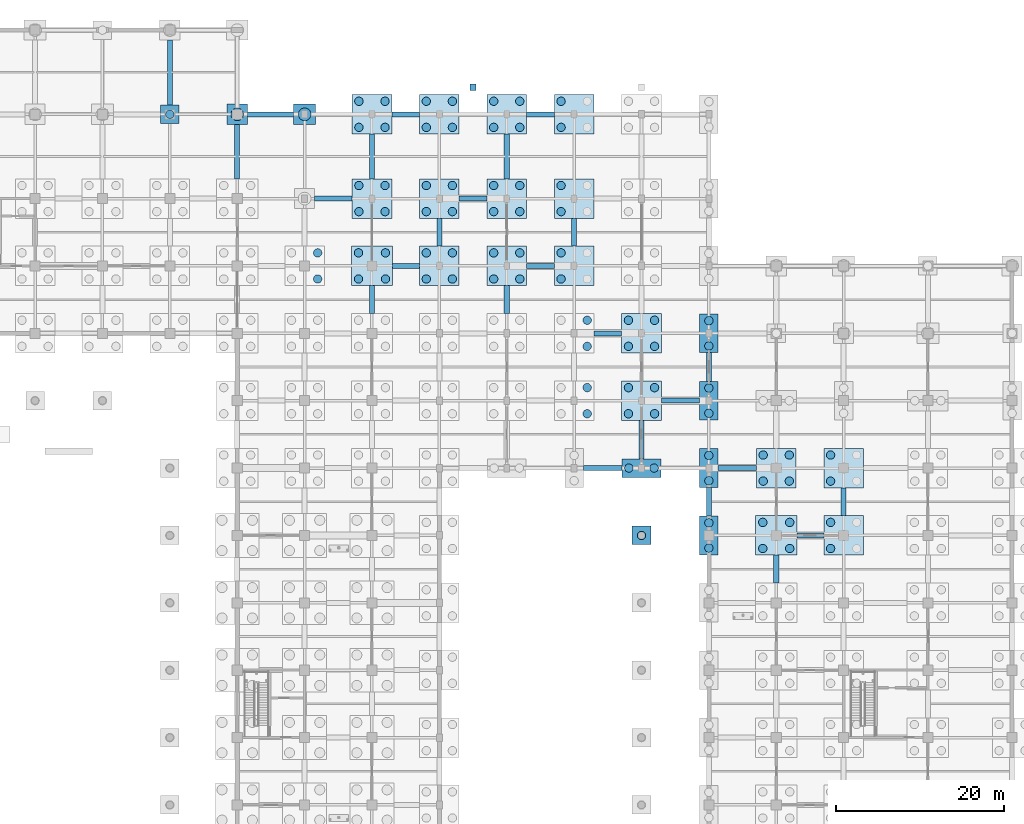
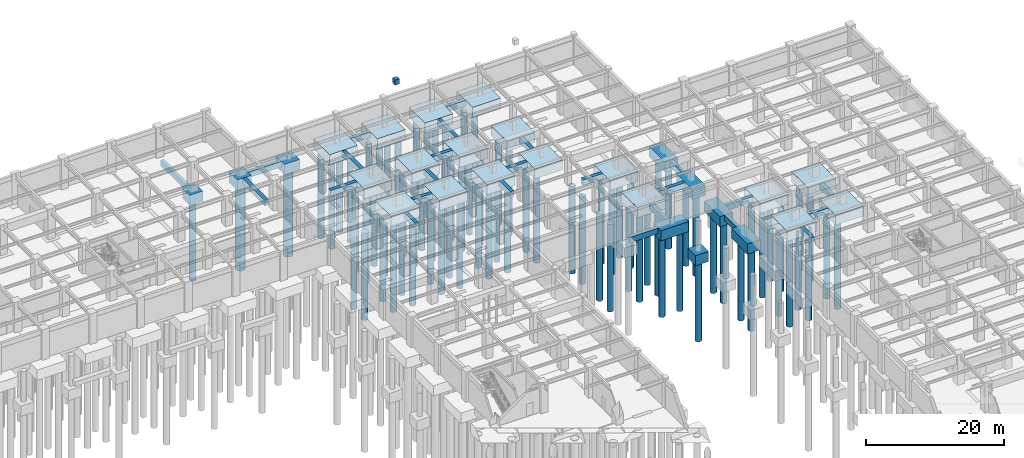
# One storey, part 19 of 97: 82 piles, 53 footings.
"""IFC4 building model written with IfcOpenShell, lengths in metres."""

from ifc_helpers import new_model, si_unit, direction, frame, origin, origin_2d, place, context, subcontext, project, spatial, rectangle, circle, extrude, material, layer, layer_set, material_profile, profile_set, type_object, element, save


model = new_model("IFC4")

# Units and contexts
model_context = context("Model", 3, precision=1e-05, world=origin(), true_north=direction((0.0, 1.0)))
body_context = subcontext(model_context, "Body", "Model", "MODEL_VIEW")
ifc_project = project(units=[si_unit("LENGTHUNIT", "METRE"), si_unit("AREAUNIT", "SQUARE_METRE"), si_unit("VOLUMEUNIT", "CUBIC_METRE"), si_unit("PLANEANGLEUNIT", "RADIAN"), si_unit("MASSUNIT", "GRAM", prefix="KILO")], contexts=[model_context])

# Site, building, storey
site_placement = place(None, origin())
site = spatial("IfcSite", under=ifc_project, at=site_placement, CompositionType="ELEMENT")
building_placement = place(site_placement, origin())
building = spatial("IfcBuilding", under=site, at=building_placement, Name="Haebicheon Civic Stadium", CompositionType="ELEMENT")
storey_placement = place(building_placement, frame((0.0, 0.0, -5.39990234375)))
storey = spatial("IfcBuildingStorey", under=building, at=storey_placement, Name="B1", CompositionType="ELEMENT", Elevation=-5.39990234375)

# Footings
ifc_material_1 = material(Name="Concrete C40/50", Category="concrete")
ifc_layer_1 = layer(ifc_material_1, 1.0, Name="Concrete C40/50")
ifc_layer_set_1 = layer_set([ifc_layer_1], Name="Concrete C40/50")
footing_type_1 = type_object("IfcFootingType", Name="FB-3200x600", PredefinedType="FOOTING_BEAM", material=ifc_layer_set_1)
for number, where, z_axis, x_axis, name in (
    (1, (164.050048828125, 160.0, -1.0), (0.0, 0.0, 1.0), (1.0, 0.0, 0.0), "Ground tie beam X 20-20"),
    (2, (212.050048828125, 128.0, -1.0), (0.0, 0.0, 1.0), (1.0, 0.0, 0.0), "Ground tie beam X 26-16"),
):
    element("IfcFooting", number, at=place(storey_placement, frame(where, z_axis=z_axis, x_axis=x_axis)), inside=storey, type_object=footing_type_1, material=ifc_layer_set_1, Name=name, PredefinedType="FOOTING_BEAM", context=body_context, shape_type="SweptSolid", body=[
        extrude(rectangle(XDim=3.199951171875, YDim=0.60009765625, at=origin_2d()), origin(), (0.0, 0.0, 1.0), 1.0),
    ])
ifc_material_2 = material(Name="Concrete C40/50", Category="concrete")
ifc_layer_2 = layer(ifc_material_2, 1.0, Name="Concrete C40/50")
ifc_layer_set_2 = layer_set([ifc_layer_2], Name="Concrete C40/50")
footing_type_2 = type_object("IfcFootingType", Name="FB-3300x600", PredefinedType="FOOTING_BEAM", material=ifc_layer_set_2)
for number, where, z_axis, x_axis, name in (
    (3, (160.0, 156.0, -1.0), (0.0, 0.0, 1.0), (0.0, 1.0, 0.0), "Ground tie beam Y 20-19"),
    (4, (164.0, 178.0, -1.0), (0.0, 0.0, 1.0), (1.0, 0.0, 0.0), "Ground tie beam X 20-22"),
    (5, (168.0, 164.0, -1.0), (0.0, 0.0, 1.0), (0.0, 1.0, 0.0), "Ground tie beam Y 21-20"),
    (6, (172.0, 168.0, -1.0), (0.0, 0.0, 1.0), (1.0, 0.0, 0.0), "Ground tie beam X 21-21"),
    (7, (176.0, 156.0, -1.0), (0.0, 0.0, 1.0), (0.0, 1.0, 0.0), "Ground tie beam Y 22-19"),
    (8, (180.0, 160.0, -1.0), (0.0, 0.0, 1.0), (1.0, 0.0, 0.0), "Ground tie beam X 22-20"),
    (9, (180.0, 178.0, -1.0), (0.0, 0.0, 1.0), (1.0, 0.0, 0.0), "Ground tie beam X 22-22"),
    (10, (188.0, 152.0, -1.0), (0.0, 0.0, 1.0), (1.0, 0.0, 0.0), "Ground tie beam X 23-19"),
    (11, (184.0, 164.0, -1.0), (0.0, 0.0, 1.0), (0.0, 1.0, 0.0), "Ground tie beam Y 23-20"),
    (12, (208.0, 124.0, -1.0), (0.0, 0.0, 1.0), (0.0, 1.0, 0.0), "Ground tie beam Y 26-15"),
    (13, (216.0, 132.0, -1.0), (0.0, 0.0, 1.0), (0.0, 1.0, 0.0), "Ground tie beam Y 27-16"),
):
    element("IfcFooting", number, at=place(storey_placement, frame(where, z_axis=z_axis, x_axis=x_axis)), inside=storey, type_object=footing_type_2, material=ifc_layer_set_2, Name=name, PredefinedType="FOOTING_BEAM", context=body_context, shape_type="SweptSolid", body=[
        extrude(rectangle(XDim=3.300048828125, YDim=0.60009765625, at=origin_2d()), origin(), (0.0, 0.0, 1.0), 1.0),
    ])
ifc_material_3 = material(Name="Concrete C40/50", Category="concrete")
ifc_layer_3 = layer(ifc_material_3, 1.0, Name="Concrete C40/50")
ifc_layer_set_3 = layer_set([ifc_layer_3], Name="Concrete C40/50")
footing_type_3 = type_object("IfcFootingType", Name="FB-3400x600", PredefinedType="FOOTING_BEAM", material=ifc_layer_set_3)
for number, where, z_axis, x_axis, name in (
    (14, (200.0, 132.0, -1.0), (0.0, 0.0, 1.0), (0.0, 1.0, 0.0), "Ground tie beam Y 25-16"),
    (15, (200.0, 148.0, -1.0), (0.0, 0.0, 1.0), (0.0, 1.0, 0.0), "Ground tie beam Y 25-18"),
):
    element("IfcFooting", number, at=place(storey_placement, frame(where, z_axis=z_axis, x_axis=x_axis)), inside=storey, type_object=footing_type_3, material=ifc_layer_set_3, Name=name, PredefinedType="FOOTING_BEAM", context=body_context, shape_type="SweptSolid", body=[
        extrude(rectangle(XDim=3.39990234375, YDim=0.60009765625, at=origin_2d()), origin(), (0.0, 0.0, 1.0), 1.0),
    ])
ifc_material_4 = material(Name="Concrete C40/50", Category="concrete")
ifc_layer_4 = layer(ifc_material_4, 1.0, Name="Concrete C40/50")
ifc_layer_set_4 = layer_set([ifc_layer_4], Name="Concrete C40/50")
footing_type_4 = type_object("IfcFootingType", Name="FB-4450x600", PredefinedType="FOOTING_BEAM", material=ifc_layer_set_4)
footing_1_placement = place(storey_placement, frame((155.425048828125, 168.0, -1.0), z_axis=(0.0, 0.0, 1.0), x_axis=(1.0, 0.0, 0.0)))
element("IfcFooting", 16, at=footing_1_placement, inside=storey, type_object=footing_type_4, material=ifc_layer_set_4, Name="Ground tie beam X 19-21", PredefinedType="FOOTING_BEAM", context=body_context, shape_type="SweptSolid", body=[
    extrude(rectangle(XDim=4.449951171875, YDim=0.60009765625, at=origin_2d()), origin(), (0.0, 0.0, 1.0), 1.0),
])
ifc_material_5 = material(Name="Concrete C40/50", Category="concrete")
ifc_layer_5 = layer(ifc_material_5, 1.0, Name="Concrete C40/50")
ifc_layer_set_5 = layer_set([ifc_layer_5], Name="Concrete C40/50")
footing_type_5 = type_object("IfcFootingType", Name="FB-4550x600", PredefinedType="FOOTING_BEAM", material=ifc_layer_set_5)
for number, where, z_axis, x_axis, name in (
    (17, (192.0, 139.375, -1.0), (0.0, 0.0, 1.0), (0.0, 1.0, 0.0), "Ground tie beam Y 24-17"),
    (18, (196.625, 144.0, -1.0), (0.0, 0.0, 1.0), (1.0, 0.0, 0.0), "Ground tie beam X 24-18"),
    (19, (203.375, 136.0, -1.0), (0.0, 0.0, 1.0), (1.0, 0.0, 0.0), "Ground tie beam X 25-17"),
):
    element("IfcFooting", number, at=place(storey_placement, frame(where, z_axis=z_axis, x_axis=x_axis)), inside=storey, type_object=footing_type_5, material=ifc_layer_set_5, Name=name, PredefinedType="FOOTING_BEAM", context=body_context, shape_type="SweptSolid", body=[
        extrude(rectangle(XDim=4.550048828125, YDim=0.60009765625, at=origin_2d()), origin(), (0.0, 0.0, 1.0), 1.0),
    ])
ifc_material_6 = material(Name="Concrete C40/50", Category="concrete")
ifc_layer_6 = layer(ifc_material_6, 1.0, Name="Concrete C40/50")
ifc_layer_set_6 = layer_set([ifc_layer_6], Name="Concrete C40/50")
footing_type_6 = type_object("IfcFootingType", Name="FB-4600x600", PredefinedType="FOOTING_BEAM", material=ifc_layer_set_6)
footing_2_placement = place(storey_placement, frame((187.39990234375, 136.0, -1.0), z_axis=(0.0, 0.0, 1.0), x_axis=(1.0, 0.0, 0.0)))
element("IfcFooting", 20, at=footing_2_placement, inside=storey, type_object=footing_type_6, material=ifc_layer_set_6, Name="Ground tie beam X 23-17", PredefinedType="FOOTING_BEAM", context=body_context, shape_type="SweptSolid", body=[
    extrude(rectangle(XDim=4.60009765625, YDim=0.60009765625, at=origin_2d()), origin(), (0.0, 0.0, 1.0), 1.0),
])
ifc_material_7 = material(Name="Concrete C40/50", Category="concrete")
ifc_layer_7 = layer(ifc_material_7, 1.0, Name="Concrete C40/50")
ifc_layer_set_7 = layer_set([ifc_layer_7], Name="Concrete C40/50")
footing_type_7 = type_object("IfcFootingType", Name="FB-5300x600", PredefinedType="FOOTING_BEAM", material=ifc_layer_set_7)
for number, where, z_axis, x_axis, name in (
    (21, (160.0, 173.0, -1.0), (0.0, 0.0, 1.0), (0.0, 1.0, 0.0), "Ground tie beam Y 20-21"),
    (22, (176.0, 173.0, -1.0), (0.0, 0.0, 1.0), (0.0, 1.0, 0.0), "Ground tie beam Y 22-21"),
):
    element("IfcFooting", number, at=place(storey_placement, frame(where, z_axis=z_axis, x_axis=x_axis)), inside=storey, type_object=footing_type_7, material=ifc_layer_set_7, Name=name, PredefinedType="FOOTING_BEAM", context=body_context, shape_type="SweptSolid", body=[
        extrude(rectangle(XDim=5.300048828125, YDim=0.60009765625, at=origin_2d()), origin(), (0.0, 0.0, 1.0), 1.0),
    ])
ifc_material_8 = material(Name="Concrete C40/50", Category="concrete")
ifc_layer_8 = layer(ifc_material_8, 1.0, Name="Concrete C40/50")
ifc_layer_set_8 = layer_set([ifc_layer_8], Name="Concrete C40/50")
footing_type_8 = type_object("IfcFootingType", Name="FB-5500x600", PredefinedType="FOOTING_BEAM", material=ifc_layer_set_8)
footing_3_placement = place(storey_placement, frame((147.949951171875, 178.0, -1.0), z_axis=(0.0, 0.0, 1.0), x_axis=(1.0, 0.0, 0.0)))
element("IfcFooting", 23, at=footing_3_placement, inside=storey, type_object=footing_type_8, material=ifc_layer_set_8, Name="Ground tie beam X 18-22", PredefinedType="FOOTING_BEAM", context=body_context, shape_type="SweptSolid", body=[
    extrude(rectangle(XDim=5.5, YDim=0.60009765625, at=origin_2d()), origin(), (0.0, 0.0, 1.0), 1.0),
])
ifc_material_9 = material(Name="Concrete C40/50", Category="concrete")
ifc_layer_9 = layer(ifc_material_9, 1.0, Name="Concrete C40/50")
ifc_layer_set_9 = layer_set([ifc_layer_9], Name="Concrete C40/50")
footing_type_9 = type_object("IfcFootingType", Name="FB-6450x600", PredefinedType="FOOTING_BEAM", material=ifc_layer_set_9)
footing_4_placement = place(storey_placement, frame((144.0, 173.574951171875, -1.0), z_axis=(0.0, 0.0, 1.0), x_axis=(0.0, 1.0, 0.0)))
element("IfcFooting", 24, at=footing_4_placement, inside=storey, type_object=footing_type_9, material=ifc_layer_set_9, Name="Ground tie beam Y 18-21", PredefinedType="FOOTING_BEAM", context=body_context, shape_type="SweptSolid", body=[
    extrude(rectangle(XDim=6.449951171875, YDim=0.60009765625, at=origin_2d()), origin(), (0.0, 0.0, 1.0), 1.0),
])
ifc_material_10 = material(Name="Concrete C40/50", Category="concrete")
ifc_layer_10 = layer(ifc_material_10, 1.0, Name="Concrete C40/50")
ifc_layer_set_10 = layer_set([ifc_layer_10], Name="Concrete C40/50")
footing_type_10 = type_object("IfcFootingType", Name="FB-7700x600", PredefinedType="FOOTING_BEAM", material=ifc_layer_set_10)
footing_5_placement = place(storey_placement, frame((136.0, 182.949951171875, -1.0), z_axis=(0.0, 0.0, 1.0), x_axis=(0.0, 1.0, 0.0)))
element("IfcFooting", 25, at=footing_5_placement, inside=storey, type_object=footing_type_10, material=ifc_layer_set_10, Name="Ground tie beam Y 17-22", PredefinedType="FOOTING_BEAM", context=body_context, shape_type="SweptSolid", body=[
    extrude(rectangle(XDim=7.699951171875, YDim=0.60009765625, at=origin_2d()), origin(), (0.0, 0.0, 1.0), 1.0),
])
ifc_material_11 = material(Name="Concrete C40/50", Category="concrete")
ifc_layer_11 = layer(ifc_material_11, 1.800048828125, Name="Concrete C40/50")
ifc_layer_set_11 = layer_set([ifc_layer_11], Name="Concrete C40/50")
footing_type_11 = type_object("IfcFootingType", Name="PC-1P-2200", PredefinedType="PILE_CAP", material=ifc_layer_set_11)
for number, where, z_axis, x_axis, name in (
    (26, (136.0, 178.0, -1.80029296875), (0.0, 0.0, 1.0), (1.0, 0.0, 0.0), "Pile cap FT-PC-17-22"),
    (27, (192.0, 128.0, -1.80029296875), (0.0, 0.0, 1.0), (1.0, 0.0, 0.0), "Bowl pier pile cap FT-BPC-048"),
):
    element("IfcFooting", number, at=place(storey_placement, frame(where, z_axis=z_axis, x_axis=x_axis)), inside=storey, type_object=footing_type_11, material=ifc_layer_set_11, Name=name, PredefinedType="PILE_CAP", context=body_context, shape_type="SweptSolid", body=[
        extrude(rectangle(XDim=2.199951171875, YDim=2.199951171875, at=origin_2d()), origin(), (0.0, 0.0, 1.0), 1.800048828125),
    ])
ifc_material_12 = material(Name="Concrete C40/50", Category="concrete")
ifc_layer_12 = layer(ifc_material_12, 1.800048828125, Name="Concrete C40/50")
ifc_layer_set_12 = layer_set([ifc_layer_12], Name="Concrete C40/50")
footing_type_12 = type_object("IfcFootingType", Name="PC-1P-2400", PredefinedType="PILE_CAP", material=ifc_layer_set_12)
footing_6_placement = place(storey_placement, frame((144.0, 178.0, -1.80029296875), z_axis=(0.0, 0.0, 1.0), x_axis=(1.0, 0.0, 0.0)))
element("IfcFooting", 28, at=footing_6_placement, inside=storey, type_object=footing_type_12, material=ifc_layer_set_12, Name="Pile cap FT-PC-18-22", PredefinedType="PILE_CAP", context=body_context, shape_type="SweptSolid", body=[
    extrude(rectangle(XDim=2.39990234375, YDim=2.39990234375, at=origin_2d()), origin(), (0.0, 0.0, 1.0), 1.800048828125),
])
ifc_material_13 = material(Name="Concrete C40/50", Category="concrete")
ifc_layer_13 = layer(ifc_material_13, 1.800048828125, Name="Concrete C40/50")
ifc_layer_set_13 = layer_set([ifc_layer_13], Name="Concrete C40/50")
footing_type_13 = type_object("IfcFootingType", Name="PC-1P-2600", PredefinedType="PILE_CAP", material=ifc_layer_set_13)
footing_7_placement = place(storey_placement, frame((152.0, 178.0, -1.80029296875), z_axis=(0.0, 0.0, 1.0), x_axis=(1.0, 0.0, 0.0)))
element("IfcFooting", 29, at=footing_7_placement, inside=storey, type_object=footing_type_13, material=ifc_layer_set_13, Name="Pile cap FT-PC-19-22", PredefinedType="PILE_CAP", context=body_context, shape_type="SweptSolid", body=[
    extrude(rectangle(XDim=2.60009765625, YDim=2.39990234375, at=origin_2d()), origin(), (0.0, 0.0, 1.0), 1.800048828125),
])
ifc_material_14 = material(Name="Concrete C40/50", Category="concrete")
ifc_layer_14 = layer(ifc_material_14, 1.800048828125, Name="Concrete C40/50")
ifc_layer_set_14 = layer_set([ifc_layer_14], Name="Concrete C40/50")
footing_type_14 = type_object("IfcFootingType", Name="PC-2P-2200", PredefinedType="PILE_CAP", material=ifc_layer_set_14)
for number, where, z_axis, x_axis, name in (
    (30, (200.0, 128.0, -1.80029296875), (0.0, 0.0, 1.0), (1.0, 0.0, 0.0), "Pile cap FT-PC-25-16"),
    (31, (200.0, 136.0, -1.80029296875), (0.0, 0.0, 1.0), (1.0, 0.0, 0.0), "Pile cap FT-PC-25-17"),
    (32, (200.0, 144.0, -1.80029296875), (0.0, 0.0, 1.0), (1.0, 0.0, 0.0), "Pile cap FT-PC-25-18"),
    (33, (200.0, 152.0, -1.80029296875), (0.0, 0.0, 1.0), (1.0, 0.0, 0.0), "Pile cap FT-PC-25-19"),
):
    element("IfcFooting", number, at=place(storey_placement, frame(where, z_axis=z_axis, x_axis=x_axis)), inside=storey, type_object=footing_type_14, material=ifc_layer_set_14, Name=name, PredefinedType="PILE_CAP", context=body_context, shape_type="SweptSolid", body=[
        extrude(rectangle(XDim=2.199951171875, YDim=4.60009765625, at=origin_2d()), origin(), (0.0, 0.0, 1.0), 1.800048828125),
    ])
ifc_material_15 = material(Name="Concrete C40/50", Category="concrete")
ifc_layer_15 = layer(ifc_material_15, 1.800048828125, Name="Concrete C40/50")
ifc_layer_set_15 = layer_set([ifc_layer_15], Name="Concrete C40/50")
footing_type_15 = type_object("IfcFootingType", Name="PC-2P-4600", PredefinedType="PILE_CAP", material=ifc_layer_set_15)
footing_8_placement = place(storey_placement, frame((192.0, 136.0, -1.80029296875), z_axis=(0.0, 0.0, 1.0), x_axis=(1.0, 0.0, 0.0)))
element("IfcFooting", 34, at=footing_8_placement, inside=storey, type_object=footing_type_15, material=ifc_layer_set_15, Name="Pile cap FT-PC-24-17", PredefinedType="PILE_CAP", context=body_context, shape_type="SweptSolid", body=[
    extrude(rectangle(XDim=4.60009765625, YDim=2.199951171875, at=origin_2d()), origin(), (0.0, 0.0, 1.0), 1.800048828125),
])
ifc_material_16 = material(Name="Concrete C40/50", Category="concrete")
ifc_layer_16 = layer(ifc_material_16, 1.800048828125, Name="Concrete C40/50")
ifc_layer_set_16 = layer_set([ifc_layer_16], Name="Concrete C40/50")
footing_type_16 = type_object("IfcFootingType", Name="PC-4P-4700", PredefinedType="PILE_CAP", material=ifc_layer_set_16)
for number, where, z_axis, x_axis, name in (
    (35, (160.0, 168.0, -1.80029296875), (0.0, 0.0, 1.0), (1.0, 0.0, 0.0), "Pile cap FT-PC-20-21"),
    (36, (160.0, 178.0, -1.80029296875), (0.0, 0.0, 1.0), (1.0, 0.0, 0.0), "Pile cap FT-PC-20-22"),
    (37, (168.0, 160.0, -1.80029296875), (0.0, 0.0, 1.0), (1.0, 0.0, 0.0), "Pile cap FT-PC-21-20"),
    (38, (168.0, 168.0, -1.80029296875), (0.0, 0.0, 1.0), (1.0, 0.0, 0.0), "Pile cap FT-PC-21-21"),
    (39, (168.0, 178.0, -1.80029296875), (0.0, 0.0, 1.0), (1.0, 0.0, 0.0), "Pile cap FT-PC-21-22"),
    (40, (176.0, 160.0, -1.80029296875), (0.0, 0.0, 1.0), (1.0, 0.0, 0.0), "Pile cap FT-PC-22-20"),
    (41, (176.0, 168.0, -1.80029296875), (0.0, 0.0, 1.0), (1.0, 0.0, 0.0), "Pile cap FT-PC-22-21"),
    (42, (176.0, 178.0, -1.80029296875), (0.0, 0.0, 1.0), (1.0, 0.0, 0.0), "Pile cap FT-PC-22-22"),
    (43, (184.0, 160.0, -1.80029296875), (0.0, 0.0, 1.0), (1.0, 0.0, 0.0), "Pile cap FT-PC-23-20"),
    (44, (184.0, 168.0, -1.80029296875), (0.0, 0.0, 1.0), (1.0, 0.0, 0.0), "Pile cap FT-PC-23-21"),
    (45, (184.0, 178.0, -1.80029296875), (0.0, 0.0, 1.0), (1.0, 0.0, 0.0), "Pile cap FT-PC-23-22"),
    (46, (192.0, 144.0, -1.80029296875), (0.0, 0.0, 1.0), (1.0, 0.0, 0.0), "Pile cap FT-PC-24-18"),
    (47, (192.0, 152.0, -1.80029296875), (0.0, 0.0, 1.0), (1.0, 0.0, 0.0), "Pile cap FT-PC-24-19"),
    (48, (208.0, 136.0, -1.80029296875), (0.0, 0.0, 1.0), (1.0, 0.0, 0.0), "Pile cap FT-PC-26-17"),
    (49, (216.0, 128.0, -1.80029296875), (0.0, 0.0, 1.0), (1.0, 0.0, 0.0), "Pile cap FT-PC-27-16"),
    (50, (216.0, 136.0, -1.80029296875), (0.0, 0.0, 1.0), (1.0, 0.0, 0.0), "Pile cap FT-PC-27-17"),
):
    element("IfcFooting", number, at=place(storey_placement, frame(where, z_axis=z_axis, x_axis=x_axis)), inside=storey, type_object=footing_type_16, material=ifc_layer_set_16, Name=name, PredefinedType="PILE_CAP", context=body_context, shape_type="SweptSolid", body=[
        extrude(rectangle(XDim=4.699951171875, YDim=4.699951171875, at=origin_2d()), origin(), (0.0, 0.0, 1.0), 1.800048828125),
    ])
ifc_material_17 = material(Name="Concrete C40/50", Category="concrete")
ifc_layer_17 = layer(ifc_material_17, 1.800048828125, Name="Concrete C40/50")
ifc_layer_set_17 = layer_set([ifc_layer_17], Name="Concrete C40/50")
footing_type_17 = type_object("IfcFootingType", Name="PC-4P-4900", PredefinedType="PILE_CAP", material=ifc_layer_set_17)
for number, where, z_axis, x_axis, name in (
    (51, (160.0, 160.0, -1.80029296875), (0.0, 0.0, 1.0), (1.0, 0.0, 0.0), "Pile cap FT-PC-20-20"),
    (52, (208.0, 128.0, -1.80029296875), (0.0, 0.0, 1.0), (1.0, 0.0, 0.0), "Pile cap FT-PC-26-16"),
):
    element("IfcFooting", number, at=place(storey_placement, frame(where, z_axis=z_axis, x_axis=x_axis)), inside=storey, type_object=footing_type_17, material=ifc_layer_set_17, Name=name, PredefinedType="PILE_CAP", context=body_context, shape_type="SweptSolid", body=[
        extrude(rectangle(XDim=4.89990234375, YDim=4.699951171875, at=origin_2d()), origin(), (0.0, 0.0, 1.0), 1.800048828125),
    ])
ifc_material_18 = material(Name="Concrete C35/45", Category="concrete")
ifc_layer_18 = layer(ifc_material_18, 0.89990234375, Name="Concrete C35/45")
ifc_layer_set_18 = layer_set([ifc_layer_18], Name="Concrete C35/45")
footing_type_18 = type_object("IfcFootingType", Name="PF-750", PredefinedType="PAD_FOOTING", material=ifc_layer_set_18)
footing_9_placement = place(storey_placement, frame((172.0, 181.199951171875, 4.300048828125), z_axis=(0.0, 0.0, 1.0), x_axis=(1.0, 0.0, 0.0)))
element("IfcFooting", 53, at=footing_9_placement, inside=storey, type_object=footing_type_18, material=ifc_layer_set_18, Name="Exterior plaza apron pad footing APR-NE-1", PredefinedType="PAD_FOOTING", context=body_context, shape_type="SweptSolid", body=[
    extrude(rectangle(XDim=0.75, YDim=0.75, at=origin_2d()), origin(), (0.0, 0.0, 1.0), 0.89990234375),
])

# Piles
ifc_material_19 = material(Name="Concrete C40/50", Category="concrete")
ifc_material_profile_1 = material_profile(ifc_material_19, circle(Radius=0.5, at=origin_2d()), Name="PILE-D1000")
ifc_profile_set_1 = profile_set([ifc_material_profile_1], Name="Concrete C40/50")
pile_type_1 = type_object("IfcPileType", Name="PL-D1000", PredefinedType="BORED", material=ifc_profile_set_1)
pile_1_placement = place(storey_placement, frame((136.0, 178.0, -1.7001953125), z_axis=(0.0, 0.0, -1.0), x_axis=(1.0, 0.0, 0.0)))
element("IfcPile", 54, at=pile_1_placement, inside=storey, type_object=pile_type_1, material=ifc_profile_set_1, Name="Bored pile 17-22-1", PredefinedType="BORED", context=body_context, shape_type="SweptSolid", body=[
    extrude(circle(Radius=0.5, at=origin_2d()), origin(), (0.0, 0.0, 1.0), 14.300048828125),
])
for number, where, z_axis, x_axis, name in (
    (55, (153.550048828125, 158.449951171875, -1.7001953125), (0.0, 0.0, -1.0), (1.0, 0.0, 0.0), "Bored pile 19-20-2"),
    (56, (153.550048828125, 161.550048828125, -1.7001953125), (0.0, 0.0, -1.0), (1.0, 0.0, 0.0), "Bored pile 19-20-4"),
):
    element("IfcPile", number, at=place(storey_placement, frame(where, z_axis=z_axis, x_axis=x_axis)), inside=storey, type_object=pile_type_1, material=ifc_profile_set_1, Name=name, PredefinedType="BORED", context=body_context, shape_type="SweptSolid", body=[
        extrude(circle(Radius=0.5, at=origin_2d()), origin(), (0.0, 0.0, 1.0), 15.5),
    ])
for number, where, z_axis, x_axis, name in (
    (57, (158.39990234375, 158.449951171875, -1.7001953125), (0.0, 0.0, -1.0), (1.0, 0.0, 0.0), "Bored pile 20-20-1"),
    (58, (161.60009765625, 158.449951171875, -1.7001953125), (0.0, 0.0, -1.0), (1.0, 0.0, 0.0), "Bored pile 20-20-2"),
    (59, (158.39990234375, 161.550048828125, -1.7001953125), (0.0, 0.0, -1.0), (1.0, 0.0, 0.0), "Bored pile 20-20-3"),
    (60, (161.60009765625, 161.550048828125, -1.7001953125), (0.0, 0.0, -1.0), (1.0, 0.0, 0.0), "Bored pile 20-20-4"),
):
    element("IfcPile", number, at=place(storey_placement, frame(where, z_axis=z_axis, x_axis=x_axis)), inside=storey, type_object=pile_type_1, material=ifc_profile_set_1, Name=name, PredefinedType="BORED", context=body_context, shape_type="SweptSolid", body=[
        extrude(circle(Radius=0.5, at=origin_2d()), origin(), (0.0, 0.0, 1.0), 15.800048828125),
    ])
for number, where, z_axis, x_axis, name in (
    (61, (158.449951171875, 166.449951171875, -1.7001953125), (0.0, 0.0, -1.0), (1.0, 0.0, 0.0), "Bored pile 20-21-1"),
    (62, (161.550048828125, 166.449951171875, -1.7001953125), (0.0, 0.0, -1.0), (1.0, 0.0, 0.0), "Bored pile 20-21-2"),
    (63, (158.449951171875, 169.550048828125, -1.7001953125), (0.0, 0.0, -1.0), (1.0, 0.0, 0.0), "Bored pile 20-21-3"),
    (64, (161.550048828125, 169.550048828125, -1.7001953125), (0.0, 0.0, -1.0), (1.0, 0.0, 0.0), "Bored pile 20-21-4"),
    (65, (158.449951171875, 176.449951171875, -1.7001953125), (0.0, 0.0, -1.0), (1.0, 0.0, 0.0), "Bored pile 20-22-1"),
    (66, (161.550048828125, 176.449951171875, -1.7001953125), (0.0, 0.0, -1.0), (1.0, 0.0, 0.0), "Bored pile 20-22-2"),
    (67, (158.449951171875, 179.550048828125, -1.7001953125), (0.0, 0.0, -1.0), (1.0, 0.0, 0.0), "Bored pile 20-22-3"),
    (68, (161.550048828125, 179.550048828125, -1.7001953125), (0.0, 0.0, -1.0), (1.0, 0.0, 0.0), "Bored pile 20-22-4"),
    (69, (166.449951171875, 158.449951171875, -1.7001953125), (0.0, 0.0, -1.0), (1.0, 0.0, 0.0), "Bored pile 21-20-1"),
    (70, (169.550048828125, 158.449951171875, -1.7001953125), (0.0, 0.0, -1.0), (1.0, 0.0, 0.0), "Bored pile 21-20-2"),
    (71, (166.449951171875, 161.550048828125, -1.7001953125), (0.0, 0.0, -1.0), (1.0, 0.0, 0.0), "Bored pile 21-20-3"),
    (72, (169.550048828125, 161.550048828125, -1.7001953125), (0.0, 0.0, -1.0), (1.0, 0.0, 0.0), "Bored pile 21-20-4"),
    (73, (166.449951171875, 166.449951171875, -1.7001953125), (0.0, 0.0, -1.0), (1.0, 0.0, 0.0), "Bored pile 21-21-1"),
    (74, (169.550048828125, 166.449951171875, -1.7001953125), (0.0, 0.0, -1.0), (1.0, 0.0, 0.0), "Bored pile 21-21-2"),
    (75, (166.449951171875, 169.550048828125, -1.7001953125), (0.0, 0.0, -1.0), (1.0, 0.0, 0.0), "Bored pile 21-21-3"),
    (76, (169.550048828125, 169.550048828125, -1.7001953125), (0.0, 0.0, -1.0), (1.0, 0.0, 0.0), "Bored pile 21-21-4"),
    (77, (166.449951171875, 176.449951171875, -1.7001953125), (0.0, 0.0, -1.0), (1.0, 0.0, 0.0), "Bored pile 21-22-1"),
    (78, (169.550048828125, 176.449951171875, -1.7001953125), (0.0, 0.0, -1.0), (1.0, 0.0, 0.0), "Bored pile 21-22-2"),
    (79, (166.449951171875, 179.550048828125, -1.7001953125), (0.0, 0.0, -1.0), (1.0, 0.0, 0.0), "Bored pile 21-22-3"),
    (80, (169.550048828125, 179.550048828125, -1.7001953125), (0.0, 0.0, -1.0), (1.0, 0.0, 0.0), "Bored pile 21-22-4"),
    (81, (174.449951171875, 158.449951171875, -1.7001953125), (0.0, 0.0, -1.0), (1.0, 0.0, 0.0), "Bored pile 22-20-1"),
    (82, (177.550048828125, 158.449951171875, -1.7001953125), (0.0, 0.0, -1.0), (1.0, 0.0, 0.0), "Bored pile 22-20-2"),
    (83, (174.449951171875, 161.550048828125, -1.7001953125), (0.0, 0.0, -1.0), (1.0, 0.0, 0.0), "Bored pile 22-20-3"),
    (84, (177.550048828125, 161.550048828125, -1.7001953125), (0.0, 0.0, -1.0), (1.0, 0.0, 0.0), "Bored pile 22-20-4"),
    (85, (174.449951171875, 166.449951171875, -1.7001953125), (0.0, 0.0, -1.0), (1.0, 0.0, 0.0), "Bored pile 22-21-1"),
    (86, (177.550048828125, 166.449951171875, -1.7001953125), (0.0, 0.0, -1.0), (1.0, 0.0, 0.0), "Bored pile 22-21-2"),
    (87, (174.449951171875, 169.550048828125, -1.7001953125), (0.0, 0.0, -1.0), (1.0, 0.0, 0.0), "Bored pile 22-21-3"),
    (88, (177.550048828125, 169.550048828125, -1.7001953125), (0.0, 0.0, -1.0), (1.0, 0.0, 0.0), "Bored pile 22-21-4"),
    (89, (174.449951171875, 176.449951171875, -1.7001953125), (0.0, 0.0, -1.0), (1.0, 0.0, 0.0), "Bored pile 22-22-1"),
    (90, (177.550048828125, 176.449951171875, -1.7001953125), (0.0, 0.0, -1.0), (1.0, 0.0, 0.0), "Bored pile 22-22-2"),
    (91, (174.449951171875, 179.550048828125, -1.7001953125), (0.0, 0.0, -1.0), (1.0, 0.0, 0.0), "Bored pile 22-22-3"),
    (92, (177.550048828125, 179.550048828125, -1.7001953125), (0.0, 0.0, -1.0), (1.0, 0.0, 0.0), "Bored pile 22-22-4"),
    (93, (185.550048828125, 142.449951171875, -1.7001953125), (0.0, 0.0, -1.0), (1.0, 0.0, 0.0), "Bored pile 23-18-2"),
    (94, (185.550048828125, 145.550048828125, -1.7001953125), (0.0, 0.0, -1.0), (1.0, 0.0, 0.0), "Bored pile 23-18-4"),
    (95, (185.550048828125, 150.449951171875, -1.7001953125), (0.0, 0.0, -1.0), (1.0, 0.0, 0.0), "Bored pile 23-19-2"),
    (96, (185.550048828125, 153.550048828125, -1.7001953125), (0.0, 0.0, -1.0), (1.0, 0.0, 0.0), "Bored pile 23-19-4"),
    (97, (182.449951171875, 158.449951171875, -1.7001953125), (0.0, 0.0, -1.0), (1.0, 0.0, 0.0), "Bored pile 23-20-1"),
    (98, (182.449951171875, 161.550048828125, -1.7001953125), (0.0, 0.0, -1.0), (1.0, 0.0, 0.0), "Bored pile 23-20-3"),
    (99, (182.449951171875, 166.449951171875, -1.7001953125), (0.0, 0.0, -1.0), (1.0, 0.0, 0.0), "Bored pile 23-21-1"),
    (100, (182.449951171875, 169.550048828125, -1.7001953125), (0.0, 0.0, -1.0), (1.0, 0.0, 0.0), "Bored pile 23-21-3"),
    (101, (182.449951171875, 176.449951171875, -1.7001953125), (0.0, 0.0, -1.0), (1.0, 0.0, 0.0), "Bored pile 23-22-1"),
    (102, (182.449951171875, 179.550048828125, -1.7001953125), (0.0, 0.0, -1.0), (1.0, 0.0, 0.0), "Bored pile 23-22-3"),
):
    element("IfcPile", number, at=place(storey_placement, frame(where, z_axis=z_axis, x_axis=x_axis)), inside=storey, type_object=pile_type_1, material=ifc_profile_set_1, Name=name, PredefinedType="BORED", context=body_context, shape_type="SweptSolid", body=[
        extrude(circle(Radius=0.5, at=origin_2d()), origin(), (0.0, 0.0, 1.0), 15.5),
    ])
for number, where, z_axis, x_axis, name in (
    (103, (190.5, 136.0, -1.7001953125), (0.0, 0.0, -1.0), (1.0, 0.0, 0.0), "Bored pile 24-17-1"),
    (104, (193.5, 136.0, -1.7001953125), (0.0, 0.0, -1.0), (1.0, 0.0, 0.0), "Bored pile 24-17-2"),
):
    element("IfcPile", number, at=place(storey_placement, frame(where, z_axis=z_axis, x_axis=x_axis)), inside=storey, type_object=pile_type_1, material=ifc_profile_set_1, Name=name, PredefinedType="BORED", context=body_context, shape_type="SweptSolid", body=[
        extrude(circle(Radius=0.5, at=origin_2d()), origin(), (0.0, 0.0, 1.0), 14.300048828125),
    ])
for number, where, z_axis, x_axis, name in (
    (105, (190.449951171875, 142.449951171875, -1.7001953125), (0.0, 0.0, -1.0), (1.0, 0.0, 0.0), "Bored pile 24-18-1"),
    (106, (193.550048828125, 142.449951171875, -1.7001953125), (0.0, 0.0, -1.0), (1.0, 0.0, 0.0), "Bored pile 24-18-2"),
    (107, (190.449951171875, 145.550048828125, -1.7001953125), (0.0, 0.0, -1.0), (1.0, 0.0, 0.0), "Bored pile 24-18-3"),
    (108, (193.550048828125, 145.550048828125, -1.7001953125), (0.0, 0.0, -1.0), (1.0, 0.0, 0.0), "Bored pile 24-18-4"),
    (109, (190.449951171875, 150.449951171875, -1.7001953125), (0.0, 0.0, -1.0), (1.0, 0.0, 0.0), "Bored pile 24-19-1"),
    (110, (193.550048828125, 150.449951171875, -1.7001953125), (0.0, 0.0, -1.0), (1.0, 0.0, 0.0), "Bored pile 24-19-2"),
    (111, (190.449951171875, 153.550048828125, -1.7001953125), (0.0, 0.0, -1.0), (1.0, 0.0, 0.0), "Bored pile 24-19-3"),
    (112, (193.550048828125, 153.550048828125, -1.7001953125), (0.0, 0.0, -1.0), (1.0, 0.0, 0.0), "Bored pile 24-19-4"),
):
    element("IfcPile", number, at=place(storey_placement, frame(where, z_axis=z_axis, x_axis=x_axis)), inside=storey, type_object=pile_type_1, material=ifc_profile_set_1, Name=name, PredefinedType="BORED", context=body_context, shape_type="SweptSolid", body=[
        extrude(circle(Radius=0.5, at=origin_2d()), origin(), (0.0, 0.0, 1.0), 15.5),
    ])
for number, where, z_axis, x_axis, name in (
    (113, (200.0, 126.5, -1.7001953125), (0.0, 0.0, -1.0), (1.0, 0.0, 0.0), "Bored pile 25-16-1"),
    (114, (200.0, 129.5, -1.7001953125), (0.0, 0.0, -1.0), (1.0, 0.0, 0.0), "Bored pile 25-16-2"),
    (115, (200.0, 134.5, -1.7001953125), (0.0, 0.0, -1.0), (1.0, 0.0, 0.0), "Bored pile 25-17-1"),
    (116, (200.0, 137.5, -1.7001953125), (0.0, 0.0, -1.0), (1.0, 0.0, 0.0), "Bored pile 25-17-2"),
    (117, (200.0, 142.5, -1.7001953125), (0.0, 0.0, -1.0), (1.0, 0.0, 0.0), "Bored pile 25-18-1"),
    (118, (200.0, 145.5, -1.7001953125), (0.0, 0.0, -1.0), (1.0, 0.0, 0.0), "Bored pile 25-18-2"),
    (119, (200.0, 150.5, -1.7001953125), (0.0, 0.0, -1.0), (1.0, 0.0, 0.0), "Bored pile 25-19-1"),
    (120, (200.0, 153.5, -1.7001953125), (0.0, 0.0, -1.0), (1.0, 0.0, 0.0), "Bored pile 25-19-2"),
):
    element("IfcPile", number, at=place(storey_placement, frame(where, z_axis=z_axis, x_axis=x_axis)), inside=storey, type_object=pile_type_1, material=ifc_profile_set_1, Name=name, PredefinedType="BORED", context=body_context, shape_type="SweptSolid", body=[
        extrude(circle(Radius=0.5, at=origin_2d()), origin(), (0.0, 0.0, 1.0), 14.300048828125),
    ])
for number, where, z_axis, x_axis, name in (
    (121, (206.39990234375, 126.449951171875, -1.7001953125), (0.0, 0.0, -1.0), (1.0, 0.0, 0.0), "Bored pile 26-16-1"),
    (122, (209.60009765625, 126.449951171875, -1.7001953125), (0.0, 0.0, -1.0), (1.0, 0.0, 0.0), "Bored pile 26-16-2"),
    (123, (206.39990234375, 129.550048828125, -1.7001953125), (0.0, 0.0, -1.0), (1.0, 0.0, 0.0), "Bored pile 26-16-3"),
    (124, (209.60009765625, 129.550048828125, -1.7001953125), (0.0, 0.0, -1.0), (1.0, 0.0, 0.0), "Bored pile 26-16-4"),
):
    element("IfcPile", number, at=place(storey_placement, frame(where, z_axis=z_axis, x_axis=x_axis)), inside=storey, type_object=pile_type_1, material=ifc_profile_set_1, Name=name, PredefinedType="BORED", context=body_context, shape_type="SweptSolid", body=[
        extrude(circle(Radius=0.5, at=origin_2d()), origin(), (0.0, 0.0, 1.0), 15.800048828125),
    ])
for number, where, z_axis, x_axis, name in (
    (125, (206.449951171875, 134.449951171875, -1.7001953125), (0.0, 0.0, -1.0), (1.0, 0.0, 0.0), "Bored pile 26-17-1"),
    (126, (209.550048828125, 134.449951171875, -1.7001953125), (0.0, 0.0, -1.0), (1.0, 0.0, 0.0), "Bored pile 26-17-2"),
    (127, (206.449951171875, 137.550048828125, -1.7001953125), (0.0, 0.0, -1.0), (1.0, 0.0, 0.0), "Bored pile 26-17-3"),
    (128, (209.550048828125, 137.550048828125, -1.7001953125), (0.0, 0.0, -1.0), (1.0, 0.0, 0.0), "Bored pile 26-17-4"),
    (129, (214.449951171875, 126.449951171875, -1.7001953125), (0.0, 0.0, -1.0), (1.0, 0.0, 0.0), "Bored pile 27-16-1"),
    (130, (214.449951171875, 129.550048828125, -1.7001953125), (0.0, 0.0, -1.0), (1.0, 0.0, 0.0), "Bored pile 27-16-3"),
    (131, (214.449951171875, 134.449951171875, -1.7001953125), (0.0, 0.0, -1.0), (1.0, 0.0, 0.0), "Bored pile 27-17-1"),
    (132, (214.449951171875, 137.550048828125, -1.7001953125), (0.0, 0.0, -1.0), (1.0, 0.0, 0.0), "Bored pile 27-17-3"),
):
    element("IfcPile", number, at=place(storey_placement, frame(where, z_axis=z_axis, x_axis=x_axis)), inside=storey, type_object=pile_type_1, material=ifc_profile_set_1, Name=name, PredefinedType="BORED", context=body_context, shape_type="SweptSolid", body=[
        extrude(circle(Radius=0.5, at=origin_2d()), origin(), (0.0, 0.0, 1.0), 15.5),
    ])
pile_2_placement = place(storey_placement, frame((192.0, 128.0, -1.7001953125), z_axis=(0.0, 0.0, -1.0), x_axis=(1.0, 0.0, 0.0)))
element("IfcPile", 133, at=pile_2_placement, inside=storey, type_object=pile_type_1, material=ifc_profile_set_1, Name="Bowl pier bored pile 048", PredefinedType="BORED", context=body_context, shape_type="SweptSolid", body=[
    extrude(circle(Radius=0.5, at=origin_2d()), origin(), (0.0, 0.0, 1.0), 14.300048828125),
])
ifc_material_20 = material(Name="Concrete C40/50", Category="concrete")
ifc_material_profile_2 = material_profile(ifc_material_20, circle(Radius=0.75, at=origin_2d()), Name="PILE-D1500")
ifc_profile_set_2 = profile_set([ifc_material_profile_2], Name="Concrete C40/50")
pile_type_2 = type_object("IfcPileType", Name="PL-D1500", PredefinedType="BORED", material=ifc_profile_set_2)
pile_3_placement = place(storey_placement, frame((144.0, 178.0, -1.7001953125), z_axis=(0.0, 0.0, -1.0), x_axis=(1.0, 0.0, 0.0)))
element("IfcPile", 134, at=pile_3_placement, inside=storey, type_object=pile_type_2, material=ifc_profile_set_2, Name="Bored pile 18-22-1", PredefinedType="BORED", context=body_context, shape_type="SweptSolid", body=[
    extrude(circle(Radius=0.75, at=origin_2d()), origin(), (0.0, 0.0, 1.0), 15.10009765625),
])
pile_4_placement = place(storey_placement, frame((152.0, 178.0, -1.7001953125), z_axis=(0.0, 0.0, -1.0), x_axis=(1.0, 0.0, 0.0)))
element("IfcPile", 135, at=pile_4_placement, inside=storey, type_object=pile_type_2, material=ifc_profile_set_2, Name="Bored pile 19-22-1", PredefinedType="BORED", context=body_context, shape_type="SweptSolid", body=[
    extrude(circle(Radius=0.75, at=origin_2d()), origin(), (0.0, 0.0, 1.0), 15.39990234375),
])

save(model, "model.ifc")
